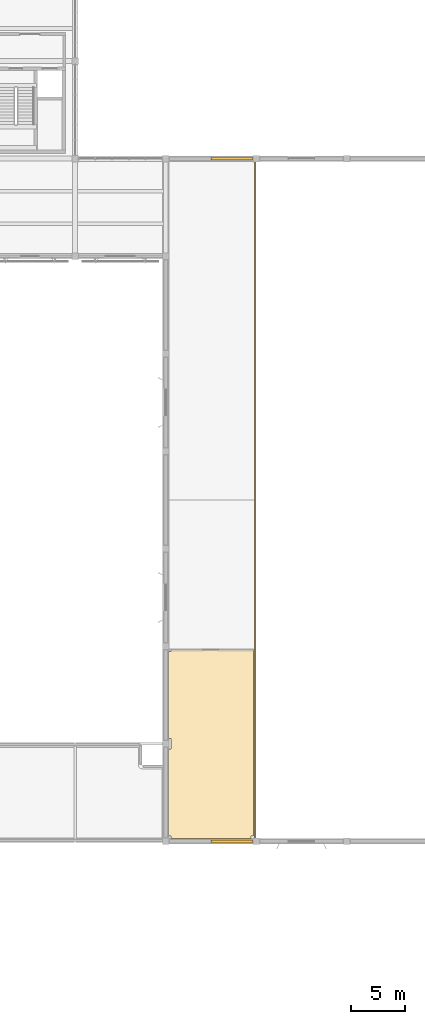
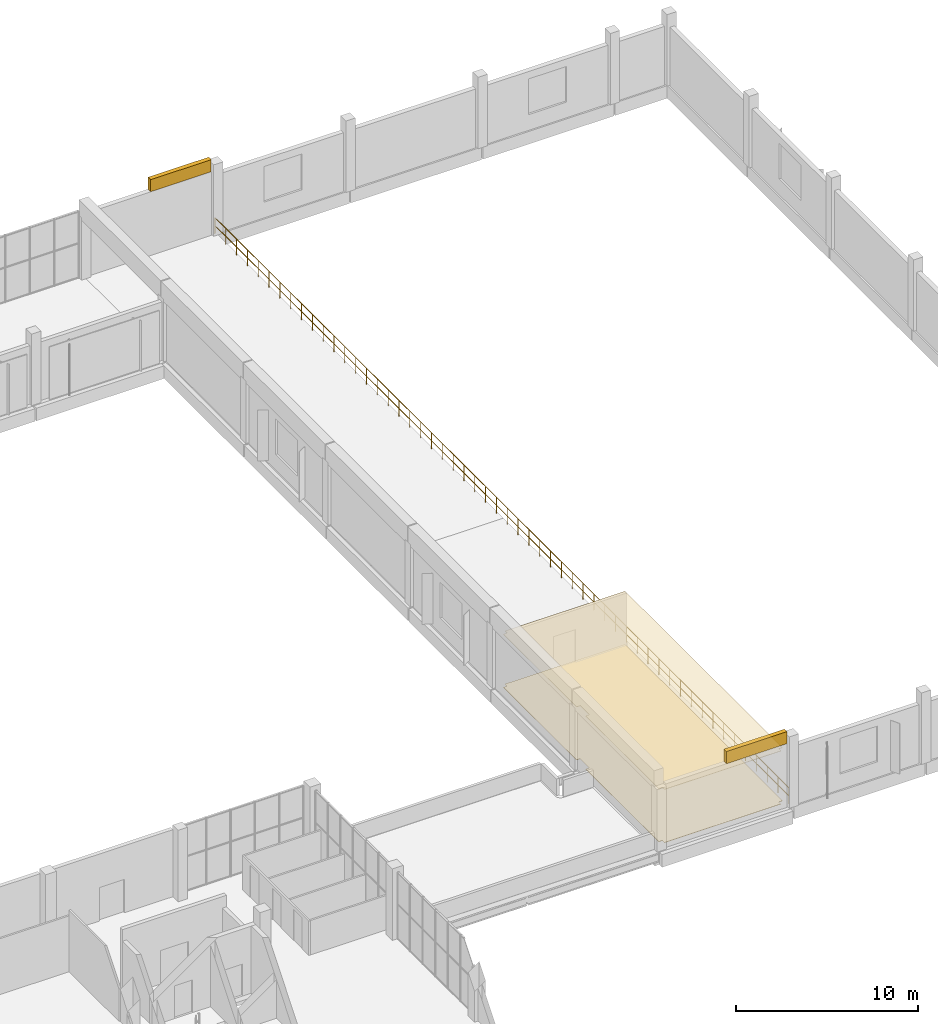
# One storey, part 80 of 80: 4 coverings, 1 railing.
"""IFC4 building model written with IfcOpenShell, lengths in metres."""

from ifc_helpers import new_model, si_unit, direction, frame, origin, origin_2d, place, context, subcontext, project, spatial, polyline, circle, outline, extrude, material, layer, layer_set, type_object, element, save


model = new_model("IFC4")

# Units and contexts
model_context = context("Model", 3, precision=1e-05, world=origin(), true_north=direction((0.0, 1.0)))
body_context = subcontext(model_context, "Body", "Model", "MODEL_VIEW")
ifc_project = project(units=[si_unit("LENGTHUNIT", "METRE"), si_unit("AREAUNIT", "SQUARE_METRE"), si_unit("VOLUMEUNIT", "CUBIC_METRE"), si_unit("PLANEANGLEUNIT", "RADIAN"), si_unit("MASSUNIT", "GRAM", prefix="KILO")], contexts=[model_context])

# Site, building, storey
site_placement = place(None, origin())
site = spatial("IfcSite", under=ifc_project, at=site_placement, CompositionType="ELEMENT")
building_placement = place(site_placement, origin())
building = spatial("IfcBuilding", under=site, at=building_placement, Name="Khurvash Pelagic Aquarium", CompositionType="ELEMENT")
storey_placement = place(building_placement, frame((0.0, 0.0, 10.800048828125)))
storey = spatial("IfcBuildingStorey", under=building, at=storey_placement, Name="L02", CompositionType="ELEMENT", Elevation=10.800048828125)

# Coverings
ifc_material_1 = material(Name="High-albedo white architectural GRC rainscreen", Category="concrete")
ifc_layer_1 = layer(ifc_material_1, 0.044921875)
ifc_layer_set_1 = layer_set([ifc_layer_1], Name="High-albedo white architectural GRC rainscreen")
covering_type_1 = type_object("IfcCoveringType", Name="CV-CL01", PredefinedType="CLADDING", material=ifc_layer_set_1)
covering_1_placement = place(storey_placement, frame((0.0, 0.0, 4.27001953125)))
element("IfcCovering", 1, at=covering_1_placement, inside=storey, type_object=covering_type_1, Name="L02 Ocean Hall South Raking Spandrel GRC Infill CV-CL01", PredefinedType="CLADDING", context=body_context, shape_type="SweptSolid", body=[
    extrude(outline(polyline([(130.199951171875, 20.56005859375), (134.0400390625, 20.56005859375), (134.0400390625, 20.840087890625), (130.199951171875, 20.840087890625), (130.199951171875, 20.56005859375)])), origin(), (0.0, 0.0, 1.0), 0.809814453125),
])
covering_2_placement = place(storey_placement, frame((0.0, 0.0, 4.27001953125)))
element("IfcCovering", 2, at=covering_2_placement, inside=storey, type_object=covering_type_1, Name="L02 Ocean Hall North Raking Spandrel GRC Infill CV-CL01", PredefinedType="CLADDING", context=body_context, shape_type="SweptSolid", body=[
    extrude(outline(polyline([(130.199951171875, 83.909912109375), (134.0400390625, 83.909912109375), (134.0400390625, 84.18994140625), (130.199951171875, 84.18994140625), (130.199951171875, 83.909912109375)])), origin(), (0.0, 0.0, 1.0), 0.809814453125),
])
ifc_material_2 = material(Name="Moisture-resistant acoustic mineral-fibre ceiling", Category="finish")
ifc_layer_2 = layer(ifc_material_2, 0.02490234375)
ifc_layer_set_2 = layer_set([ifc_layer_2], Name="Moisture-resistant acoustic mineral-fibre ceiling")
covering_type_2 = type_object("IfcCoveringType", Name="CV-CLG", PredefinedType="CEILING", material=ifc_layer_set_2)
covering_3_placement = place(storey_placement, frame((0.0, 0.0, 3.56298828125)))
element("IfcCovering", 3, at=covering_3_placement, inside=storey, type_object=covering_type_2, Name="L02 Ocean Tank Surge Generator Room Acoustic Ceiling", PredefinedType="CEILING", context=body_context, shape_type="SweptSolid", body=[
    extrude(outline(polyline([(133.89990234375, 20.969970703125), (133.89990234375, 21.199951171875), (134.1298828125, 21.199951171875), (134.1298828125, 38.530029296875), (126.5, 38.530029296875), (126.5, 38.300048828125), (126.27001953125, 38.300048828125), (126.27001953125, 30.25), (126.5, 30.25), (126.5, 29.25), (126.27001953125, 29.25), (126.27001953125, 21.199951171875), (126.5, 21.199951171875), (126.5, 20.969970703125), (133.89990234375, 20.969970703125)])), origin(), (0.0, 0.0, 1.0), 0.02490234375),
])
ifc_material_3 = material(Name="Slip-resistant terrazzo and epoxy resin flooring", Category="finish")
ifc_layer_3 = layer(ifc_material_3, 0.02001953125)
ifc_layer_set_3 = layer_set([ifc_layer_3], Name="Slip-resistant terrazzo and epoxy resin flooring")
covering_type_3 = type_object("IfcCoveringType", Name="CV-FLR", PredefinedType="FLOORING", material=ifc_layer_set_3)
covering_4_placement = place(storey_placement, origin())
element("IfcCovering", 4, at=covering_4_placement, inside=storey, type_object=covering_type_3, Name="L02 Ocean Tank Surge Generator Room Epoxy Floor Finish", PredefinedType="FLOORING", context=body_context, shape_type="SweptSolid", body=[
    extrude(outline(polyline([(133.89990234375, 20.969970703125), (133.89990234375, 21.199951171875), (134.1298828125, 21.199951171875), (134.1298828125, 38.530029296875), (126.5, 38.530029296875), (126.5, 38.300048828125), (126.27001953125, 38.300048828125), (126.27001953125, 30.25), (126.5, 30.25), (126.5, 29.25), (126.27001953125, 29.25), (126.27001953125, 21.199951171875), (126.5, 21.199951171875), (126.5, 20.969970703125), (133.89990234375, 20.969970703125)])), origin(), (0.0, 0.0, 1.0), 0.02001953125),
])

# Railing
ifc_material_4 = material(Name="Powder-coated galvanised steel S355J2", Category="steel")
railing_type = type_object("IfcRailingType", Name="GR-01", PredefinedType="GUARDRAIL", material=ifc_material_4)
railing_placement = place(storey_placement, frame((134.300048828125, 20.800048828125, 0.0)))
element("IfcRailing", 5, at=railing_placement, inside=storey, type_object=railing_type, Name="L02 Ocean Hall West Mezzanine Overlook Guardrail GR-01", PredefinedType="GUARDRAIL", context=body_context, shape_type="SweptSolid", body=[
    extrude(circle(Radius=0.02392578125, at=origin_2d()), frame((0.0, 0.0, 1.076171875), z_axis=(0.0, 1.0, 0.0), x_axis=(-1.0, 0.0, 0.0)), (0.0, 0.0, 1.0), 63.14990234375),
    extrude(circle(Radius=0.02392578125, at=origin_2d()), frame((0.0, 0.0, 0.5380859375), z_axis=(0.0, 1.0, 0.0), x_axis=(-1.0, 0.0, 0.0)), (0.0, 0.0, 1.0), 63.14990234375),
    extrude(circle(Radius=0.02099609375, at=origin_2d()), origin(), (0.0, 0.0, 1.0), 1.052001953125),
    extrude(circle(Radius=0.02099609375, at=origin_2d()), frame((0.0, 1.19140625, 0.0)), (0.0, 0.0, 1.0), 1.052001953125),
    extrude(circle(Radius=0.02099609375, at=origin_2d()), frame((0.0, 2.383056640625, 0.0)), (0.0, 0.0, 1.0), 1.052001953125),
    extrude(circle(Radius=0.02099609375, at=origin_2d()), frame((0.0, 3.574462890625, 0.0)), (0.0, 0.0, 1.0), 1.052001953125),
    extrude(circle(Radius=0.02099609375, at=origin_2d()), frame((0.0, 4.76611328125, 0.0)), (0.0, 0.0, 1.0), 1.052001953125),
    extrude(circle(Radius=0.02099609375, at=origin_2d()), frame((0.0, 5.95751953125, 0.0)), (0.0, 0.0, 1.0), 1.052001953125),
    extrude(circle(Radius=0.02099609375, at=origin_2d()), frame((0.0, 7.14892578125, 0.0)), (0.0, 0.0, 1.0), 1.052001953125),
    extrude(circle(Radius=0.02099609375, at=origin_2d()), frame((0.0, 8.340576171875, 0.0)), (0.0, 0.0, 1.0), 1.052001953125),
    extrude(circle(Radius=0.02099609375, at=origin_2d()), frame((0.0, 9.531982421875, 0.0)), (0.0, 0.0, 1.0), 1.052001953125),
    extrude(circle(Radius=0.02099609375, at=origin_2d()), frame((0.0, 10.7236328125, 0.0)), (0.0, 0.0, 1.0), 1.052001953125),
    extrude(circle(Radius=0.02099609375, at=origin_2d()), frame((0.0, 11.9150390625, 0.0)), (0.0, 0.0, 1.0), 1.052001953125),
    extrude(circle(Radius=0.02099609375, at=origin_2d()), frame((0.0, 13.106689453125, 0.0)), (0.0, 0.0, 1.0), 1.052001953125),
    extrude(circle(Radius=0.02099609375, at=origin_2d()), frame((0.0, 14.298095703125, 0.0)), (0.0, 0.0, 1.0), 1.052001953125),
    extrude(circle(Radius=0.02099609375, at=origin_2d()), frame((0.0, 15.489501953125, 0.0)), (0.0, 0.0, 1.0), 1.052001953125),
    extrude(circle(Radius=0.02099609375, at=origin_2d()), frame((0.0, 16.68115234375, 0.0)), (0.0, 0.0, 1.0), 1.052001953125),
    extrude(circle(Radius=0.02099609375, at=origin_2d()), frame((0.0, 17.87255859375, 0.0)), (0.0, 0.0, 1.0), 1.052001953125),
    extrude(circle(Radius=0.02099609375, at=origin_2d()), frame((0.0, 19.064208984375, 0.0)), (0.0, 0.0, 1.0), 1.052001953125),
    extrude(circle(Radius=0.02099609375, at=origin_2d()), frame((0.0, 20.255615234375, 0.0)), (0.0, 0.0, 1.0), 1.052001953125),
    extrude(circle(Radius=0.02099609375, at=origin_2d()), frame((0.0, 21.447021484375, 0.0)), (0.0, 0.0, 1.0), 1.052001953125),
    extrude(circle(Radius=0.02099609375, at=origin_2d()), frame((0.0, 22.638671875, 0.0)), (0.0, 0.0, 1.0), 1.052001953125),
    extrude(circle(Radius=0.02099609375, at=origin_2d()), frame((0.0, 23.830078125, 0.0)), (0.0, 0.0, 1.0), 1.052001953125),
    extrude(circle(Radius=0.02099609375, at=origin_2d()), frame((0.0, 25.021728515625, 0.0)), (0.0, 0.0, 1.0), 1.052001953125),
    extrude(circle(Radius=0.02099609375, at=origin_2d()), frame((0.0, 26.213134765625, 0.0)), (0.0, 0.0, 1.0), 1.052001953125),
    extrude(circle(Radius=0.02099609375, at=origin_2d()), frame((0.0, 27.40478515625, 0.0)), (0.0, 0.0, 1.0), 1.052001953125),
    extrude(circle(Radius=0.02099609375, at=origin_2d()), frame((0.0, 28.59619140625, 0.0)), (0.0, 0.0, 1.0), 1.052001953125),
    extrude(circle(Radius=0.02099609375, at=origin_2d()), frame((0.0, 29.78759765625, 0.0)), (0.0, 0.0, 1.0), 1.052001953125),
    extrude(circle(Radius=0.02099609375, at=origin_2d()), frame((0.0, 30.979248046875, 0.0)), (0.0, 0.0, 1.0), 1.052001953125),
    extrude(circle(Radius=0.02099609375, at=origin_2d()), frame((0.0, 32.170654296875, 0.0)), (0.0, 0.0, 1.0), 1.052001953125),
    extrude(circle(Radius=0.02099609375, at=origin_2d()), frame((0.0, 33.3623046875, 0.0)), (0.0, 0.0, 1.0), 1.052001953125),
    extrude(circle(Radius=0.02099609375, at=origin_2d()), frame((0.0, 34.5537109375, 0.0)), (0.0, 0.0, 1.0), 1.052001953125),
    extrude(circle(Radius=0.02099609375, at=origin_2d()), frame((0.0, 35.7451171875, 0.0)), (0.0, 0.0, 1.0), 1.052001953125),
    extrude(circle(Radius=0.02099609375, at=origin_2d()), frame((0.0, 36.936767578125, 0.0)), (0.0, 0.0, 1.0), 1.052001953125),
    extrude(circle(Radius=0.02099609375, at=origin_2d()), frame((0.0, 38.128173828125, 0.0)), (0.0, 0.0, 1.0), 1.052001953125),
    extrude(circle(Radius=0.02099609375, at=origin_2d()), frame((0.0, 39.31982421875, 0.0)), (0.0, 0.0, 1.0), 1.052001953125),
    extrude(circle(Radius=0.02099609375, at=origin_2d()), frame((0.0, 40.51123046875, 0.0)), (0.0, 0.0, 1.0), 1.052001953125),
    extrude(circle(Radius=0.02099609375, at=origin_2d()), frame((0.0, 41.702880859375, 0.0)), (0.0, 0.0, 1.0), 1.052001953125),
    extrude(circle(Radius=0.02099609375, at=origin_2d()), frame((0.0, 42.894287109375, 0.0)), (0.0, 0.0, 1.0), 1.052001953125),
    extrude(circle(Radius=0.02099609375, at=origin_2d()), frame((0.0, 44.085693359375, 0.0)), (0.0, 0.0, 1.0), 1.052001953125),
    extrude(circle(Radius=0.02099609375, at=origin_2d()), frame((0.0, 45.27734375, 0.0)), (0.0, 0.0, 1.0), 1.052001953125),
    extrude(circle(Radius=0.02099609375, at=origin_2d()), frame((0.0, 46.46875, 0.0)), (0.0, 0.0, 1.0), 1.052001953125),
    extrude(circle(Radius=0.02099609375, at=origin_2d()), frame((0.0, 47.660400390625, 0.0)), (0.0, 0.0, 1.0), 1.052001953125),
    extrude(circle(Radius=0.02099609375, at=origin_2d()), frame((0.0, 48.851806640625, 0.0)), (0.0, 0.0, 1.0), 1.052001953125),
    extrude(circle(Radius=0.02099609375, at=origin_2d()), frame((0.0, 50.043212890625, 0.0)), (0.0, 0.0, 1.0), 1.052001953125),
    extrude(circle(Radius=0.02099609375, at=origin_2d()), frame((0.0, 51.23486328125, 0.0)), (0.0, 0.0, 1.0), 1.052001953125),
    extrude(circle(Radius=0.02099609375, at=origin_2d()), frame((0.0, 52.42626953125, 0.0)), (0.0, 0.0, 1.0), 1.052001953125),
    extrude(circle(Radius=0.02099609375, at=origin_2d()), frame((0.0, 53.617919921875, 0.0)), (0.0, 0.0, 1.0), 1.052001953125),
    extrude(circle(Radius=0.02099609375, at=origin_2d()), frame((0.0, 54.809326171875, 0.0)), (0.0, 0.0, 1.0), 1.052001953125),
    extrude(circle(Radius=0.02099609375, at=origin_2d()), frame((0.0, 56.0009765625, 0.0)), (0.0, 0.0, 1.0), 1.052001953125),
    extrude(circle(Radius=0.02099609375, at=origin_2d()), frame((0.0, 57.1923828125, 0.0)), (0.0, 0.0, 1.0), 1.052001953125),
    extrude(circle(Radius=0.02099609375, at=origin_2d()), frame((0.0, 58.3837890625, 0.0)), (0.0, 0.0, 1.0), 1.052001953125),
    extrude(circle(Radius=0.02099609375, at=origin_2d()), frame((0.0, 59.575439453125, 0.0)), (0.0, 0.0, 1.0), 1.052001953125),
    extrude(circle(Radius=0.02099609375, at=origin_2d()), frame((0.0, 60.766845703125, 0.0)), (0.0, 0.0, 1.0), 1.052001953125),
    extrude(circle(Radius=0.02099609375, at=origin_2d()), frame((0.0, 61.95849609375, 0.0)), (0.0, 0.0, 1.0), 1.052001953125),
    extrude(circle(Radius=0.02099609375, at=origin_2d()), frame((0.0, 63.14990234375, 0.0)), (0.0, 0.0, 1.0), 1.052001953125),
])

save(model, "model.ifc")
